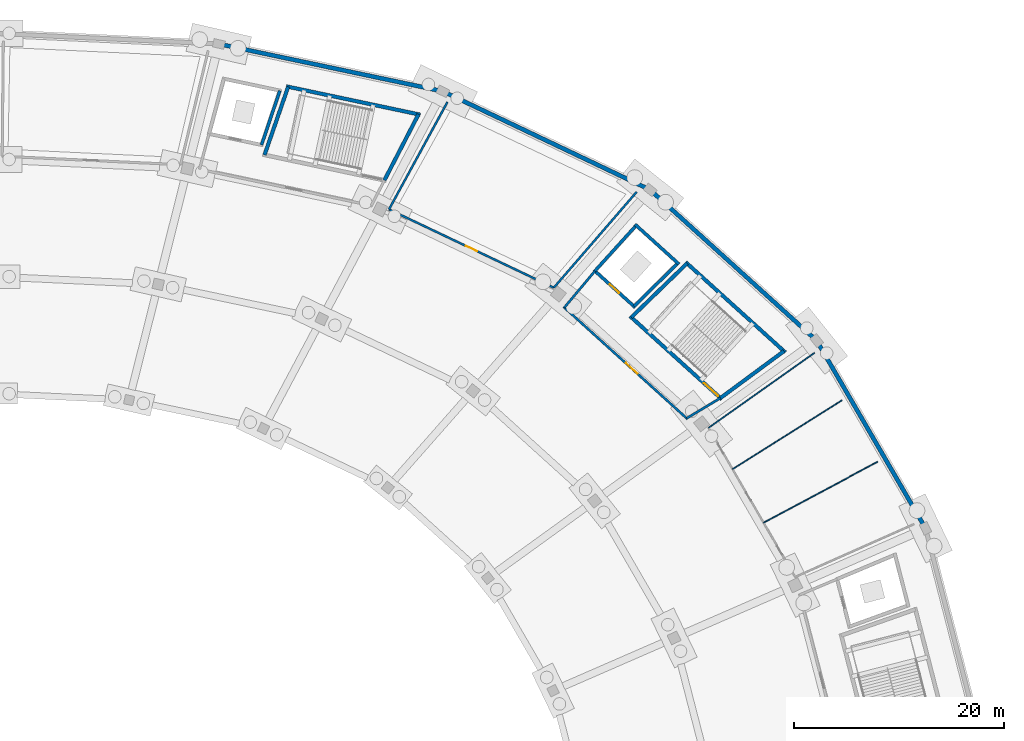
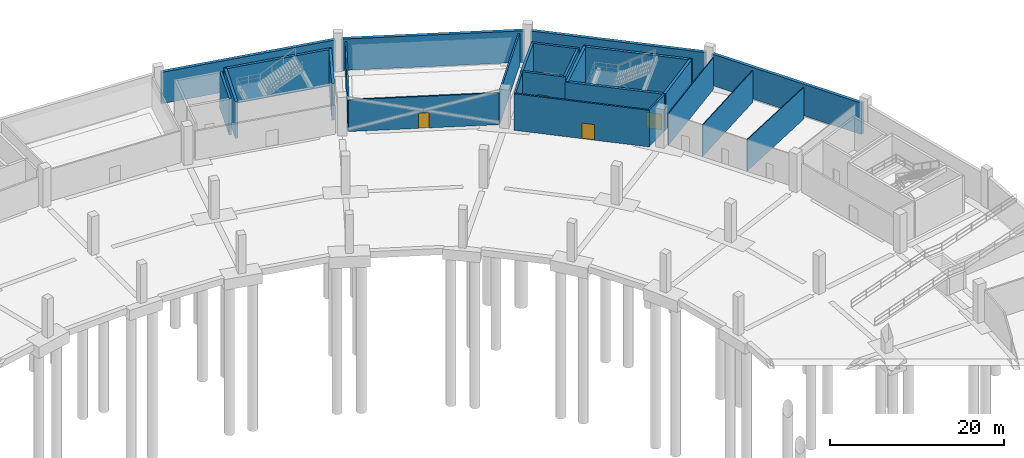
# One storey, part 18 of 49: 25 walls, 4 doors, 4 openings.
"""IFC4 building model written with IfcOpenShell, lengths in metres."""

from ifc_helpers import new_model, si_unit, direction, frame, frame_2d, origin, place, context, subcontext, project, spatial, rectangle, extrude, material, layer, layer_set, type_object, element, fill, save


model = new_model("IFC4")

# Units and contexts
model_context = context("Model", 3, precision=1e-05, world=origin(), true_north=direction((0.0, 1.0)))
body_context = subcontext(model_context, "Body", "Model", "MODEL_VIEW")
ifc_project = project(units=[si_unit("LENGTHUNIT", "METRE"), si_unit("AREAUNIT", "SQUARE_METRE"), si_unit("VOLUMEUNIT", "CUBIC_METRE"), si_unit("PLANEANGLEUNIT", "RADIAN"), si_unit("MASSUNIT", "GRAM", prefix="KILO")], contexts=[model_context])

# Site, building, storey
site_placement = place(None, origin())
site = spatial("IfcSite", under=ifc_project, at=site_placement, CompositionType="ELEMENT")
building_placement = place(site_placement, origin())
building = spatial("IfcBuilding", under=site, at=building_placement, Name="Kazemori Nagisa Stadium", CompositionType="ELEMENT")
storey_placement = place(building_placement, frame((0.0, 0.0, -5.43994140625)))
storey = spatial("IfcBuildingStorey", under=building, at=storey_placement, Name="B1", CompositionType="ELEMENT", Elevation=-5.43994140625)

# Walls
ifc_material_1 = material(Name="Concrete C40/50 (Fc42)", Category="concrete")
ifc_layer_1 = layer(ifc_material_1, 0.39990234375, Name="Concrete C40/50 (Fc42)", Category="concrete")
ifc_layer_set_1 = layer_set([ifc_layer_1], Name="Concrete C40/50 (Fc42)")
wall_type_1 = type_object("IfcWallType", Name="Wall_W-B1-RET-400", PredefinedType="SOLIDWALL", material=ifc_layer_set_1)
wall_1_placement = place(storey_placement, frame((211.689208984375, 141.0869140625, 0.0), z_axis=(0.0, 0.0, 1.0), x_axis=(-0.501609752715, 0.865094015689, 0.0)))
element("IfcWall", 1, at=wall_1_placement, inside=storey, type_object=wall_type_1, Name="Basement perimeter retaining wall B1-03", PredefinedType="SOLIDWALL", context=body_context, shape_type="SweptSolid", body=[
    extrude(rectangle(XDim=19.932373046875, YDim=0.39990234375, at=frame_2d((9.96630859375, 0.0))), origin(), (0.0, 0.0, 1.0), 4.419921875),
])
wall_2_placement = place(storey_placement, frame((201.206298828125, 158.929443359375, 0.0), z_axis=(0.0, 0.0, 1.0), x_axis=(-0.741354093053, 0.671114080253, 0.0)))
element("IfcWall", 2, at=wall_2_placement, inside=storey, type_object=wall_type_1, Name="Basement perimeter retaining wall B1-04", PredefinedType="SOLIDWALL", context=body_context, shape_type="SweptSolid", body=[
    extrude(rectangle(XDim=20.66357421875, YDim=0.39990234375, at=frame_2d((10.331787109375, 0.0))), origin(), (0.0, 0.0, 1.0), 4.419921875),
])
wall_3_placement = place(storey_placement, frame((185.24560546875, 173.226318359375, 0.0), z_axis=(0.0, 0.0, 1.0), x_axis=(-0.903214032263, 0.429190414528, 0.0)))
element("IfcWall", 3, at=wall_3_placement, inside=storey, type_object=wall_type_1, Name="Basement perimeter retaining wall B1-05", PredefinedType="SOLIDWALL", context=body_context, shape_type="SweptSolid", body=[
    extrude(rectangle(XDim=21.134033203125, YDim=0.39990234375, at=frame_2d((10.56689453125, 0.0))), origin(), (0.0, 0.0, 1.0), 4.419921875),
])
wall_4_placement = place(storey_placement, frame((165.423095703125, 182.544921875, 0.0), z_axis=(0.0, 0.0, 1.0), x_axis=(-0.978345100851, 0.206980346028, 0.0)))
element("IfcWall", 4, at=wall_4_placement, inside=storey, type_object=wall_type_1, Name="Basement perimeter retaining wall B1-06", PredefinedType="SOLIDWALL", context=body_context, shape_type="SweptSolid", body=[
    extrude(rectangle(XDim=21.070068359375, YDim=0.39990234375, at=frame_2d((10.53515625, 0.0))), origin(), (0.0, 0.0, 1.0), 4.419921875),
])

# Wall, opening, door
ifc_layer_2 = layer(ifc_material_1, 0.35009765625, Name="Concrete C40/50 (Fc42)", Category="concrete")
ifc_layer_set_2 = layer_set([ifc_layer_2], Name="Concrete C40/50 (Fc42)")
wall_type_2 = type_object("IfcWallType", Name="Wall_W-CORE-350", PredefinedType="SHEAR", material=ifc_layer_set_2)
wall_5_placement = place(storey_placement, frame((192.438720703125, 153.072021484375, 0.0), z_axis=(0.0, 0.0, 1.0), x_axis=(-0.741358227035, 0.671109513572, 0.0)))
wall_5 = element("IfcWall", 5, at=wall_5_placement, inside=storey, type_object=wall_type_2, Name="Core stair front shear wall ST01 B1", PredefinedType="SHEAR", context=body_context, shape_type="SweptSolid", body=[
    extrude(rectangle(XDim=11.82666015625, YDim=0.35009765625, at=frame_2d((5.913330078125, 0.0))), origin(), (0.0, 0.0, 1.0), 5.139892578125),
])
opening_1_placement = place(wall_5_placement, frame((0.47509765625, 0.0, 0.0)))
opening_1 = element("IfcOpeningElement", 6, at=opening_1_placement, cuts=wall_5, Name="Opening D-ST-1800", PredefinedType="OPENING", context=body_context, shape_type="SweptSolid", body=[
    extrude(rectangle(XDim=1.800048828125, YDim=2.199951171875, at=frame_2d((0.89990234375, 1.10009765625))), frame((0.0, 0.18505859375, 0.0), z_axis=(0.0, -1.0, 0.0), x_axis=(1.0, 0.0, 0.0)), (0.0, 0.0, 1.0), 0.3701171875),
])
ifc_material_2 = material(Name="Galvanised steel sheet", Category="steel")
door_type_1 = type_object("IfcDoorType", Name="Door_D-ST-1800", OperationType="NOTDEFINED", PredefinedType="DOOR", material=ifc_material_2)
door_1_placement = place(opening_1_placement, frame((1.800048828125, 0.0, 0.0), z_axis=(0.0, 0.0, 1.0), x_axis=(-1.0, 0.0, 0.0)))
door_1 = element("IfcDoor", 7, at=door_1_placement, inside=storey, type_object=door_type_1, Name="Exit stair fire door ST01-B1", OperationType="SINGLE_SWING_LEFT", OverallHeight=2.199951171875, OverallWidth=1.800048828125, PredefinedType="DOOR", context=body_context, shape_type="SweptSolid", body=[
    extrude(rectangle(XDim=1.800048828125, YDim=2.199951171875, at=frame_2d((0.89990234375, 1.10009765625))), frame((0.0, 0.02490234375, 0.0), z_axis=(0.0, -1.0, 0.0), x_axis=(1.0, 0.0, 0.0)), (0.0, 0.0, 1.0), 0.050048828125),
])
fill(opening_1, door_1)

# Walls
wall_6_placement = place(storey_placement, frame((198.499267578125, 157.548095703125, 0.0), z_axis=(0.0, 0.0, 1.0), x_axis=(-0.741351373721, 0.671117084183, 0.0)))
element("IfcWall", 8, at=wall_6_placement, inside=storey, type_object=wall_type_2, Name="Core stair rear shear wall ST01 B1", PredefinedType="SHEAR", context=body_context, shape_type="SweptSolid", body=[
    extrude(rectangle(XDim=12.830322265625, YDim=0.35009765625, at=frame_2d((6.4150390625, 0.0))), origin(), (0.0, 0.0, 1.0), 5.139892578125),
])
wall_7_placement = place(storey_placement, frame((192.308837890625, 153.189453125, 0.0), z_axis=(0.0, 0.0, 1.0), x_axis=(0.804395625347, 0.594093997548, 0.0)))
element("IfcWall", 9, at=wall_7_placement, inside=storey, type_object=wall_type_2, Name="Core stair left shear wall ST01 B1", PredefinedType="SHEAR", context=body_context, shape_type="SweptSolid", body=[
    extrude(rectangle(XDim=7.5341796875, YDim=0.35009765625, at=frame_2d((3.76708984375, 0.0))), origin(), (0.0, 0.0, 1.0), 5.139892578125),
])
wall_8_placement = place(storey_placement, frame((183.800537109375, 160.8916015625, 0.0), z_axis=(0.0, 0.0, 1.0), x_axis=(0.718297398554, 0.69573619083, 0.0)))
element("IfcWall", 10, at=wall_8_placement, inside=storey, type_object=wall_type_2, Name="Core stair right shear wall ST01 B1", PredefinedType="SHEAR", context=body_context, shape_type="SweptSolid", body=[
    extrude(rectangle(XDim=7.40185546875, YDim=0.35009765625, at=frame_2d((3.700927734375, 0.0))), origin(), (0.0, 0.0, 1.0), 5.139892578125),
])
wall_9_placement = place(storey_placement, frame((163.655029296875, 180.2333984375, 0.0), z_axis=(0.0, 0.0, 1.0), x_axis=(-0.978345119536, 0.206980257705, 0.0)))
element("IfcWall", 11, at=wall_9_placement, inside=storey, type_object=wall_type_2, Name="Core stair rear shear wall ST11 B1", PredefinedType="SHEAR", context=body_context, shape_type="SweptSolid", body=[
    extrude(rectangle(XDim=13.06689453125, YDim=0.35009765625, at=frame_2d((6.533447265625, 0.0))), origin(), (0.0, 0.0, 1.0), 5.139892578125),
])
wall_10_placement = place(storey_placement, frame((160.228515625, 173.975830078125, 0.0), z_axis=(0.0, 0.0, 1.0), x_axis=(0.459409796564, 0.888224430435, 0.0)))
element("IfcWall", 12, at=wall_10_placement, inside=storey, type_object=wall_type_2, Name="Core stair left shear wall ST11 B1", PredefinedType="SHEAR", context=body_context, shape_type="SweptSolid", body=[
    extrude(rectangle(XDim=7.0859375, YDim=0.35009765625, at=frame_2d((3.54296875, 0.0))), origin(), (0.0, 0.0, 1.0), 5.139892578125),
])
wall_11_placement = place(storey_placement, frame((148.787353515625, 176.396240234375, 0.0), z_axis=(0.0, 0.0, 1.0), x_axis=(0.327491724385, 0.944854047173, 0.0)))
element("IfcWall", 13, at=wall_11_placement, inside=storey, type_object=wall_type_2, Name="Core stair right shear wall ST11 B1", PredefinedType="SHEAR", context=body_context, shape_type="SweptSolid", body=[
    extrude(rectangle(XDim=6.88525390625, YDim=0.35009765625, at=frame_2d((3.442626953125, 0.0))), origin(), (0.0, 0.0, 1.0), 5.139892578125),
])

# Wall, opening, door
ifc_material_3 = material(Name="Concrete C36/45 (Fc36)", Category="concrete")
ifc_layer_3 = layer(ifc_material_3, 0.219970703125, Name="Concrete C36/45 (Fc36)", Category="concrete")
ifc_layer_set_3 = layer_set([ifc_layer_3], Name="Concrete C36/45 (Fc36)")
wall_type_3 = type_object("IfcWallType", Name="Wall_W-LOBBY-220", PredefinedType="SOLIDWALL", material=ifc_layer_set_3)
wall_12_placement = place(storey_placement, frame((189.166259765625, 151.1806640625, 0.0), z_axis=(0.0, 0.0, 1.0), x_axis=(-0.741351035574, 0.671117457717, 0.0)))
wall_12 = element("IfcWall", 14, at=wall_12_placement, inside=storey, type_object=wall_type_3, Name="Core lobby fire wall ST01 B1", PredefinedType="SOLIDWALL", context=body_context, shape_type="SweptSolid", body=[
    extrude(rectangle(XDim=15.96923828125, YDim=0.219970703125, at=frame_2d((7.984619140625, 0.0))), origin(), (0.0, 0.0, 1.0), 5.139892578125),
])
opening_2_placement = place(wall_12_placement, frame((6.447021484375, 0.0, 0.0)))
opening_2 = element("IfcOpeningElement", 15, at=opening_2_placement, cuts=wall_12, Name="Opening D-FFL-1500", PredefinedType="OPENING", context=body_context, shape_type="SweptSolid", body=[
    extrude(rectangle(XDim=1.5, YDim=2.199951171875, at=frame_2d((0.75, 1.10009765625))), frame((0.0, 0.119873046875, 0.0), z_axis=(0.0, -1.0, 0.0), x_axis=(1.0, 0.0, 0.0)), (0.0, 0.0, 1.0), 0.239990234375),
])
door_type_2 = type_object("IfcDoorType", Name="Door_D-FFL-1500", OperationType="NOTDEFINED", PredefinedType="DOOR", material=ifc_material_2)
door_2_placement = place(opening_2_placement, frame((1.5, 0.0, 0.0), z_axis=(0.0, 0.0, 1.0), x_axis=(-1.0, 0.0, 0.0)))
door_2 = element("IfcDoor", 16, at=door_2_placement, inside=storey, type_object=door_type_2, Name="Protected lobby fire door ST01-B1", OperationType="DOUBLE_DOOR_SINGLE_SWING", OverallHeight=2.199951171875, OverallWidth=1.5, PredefinedType="DOOR", context=body_context, shape_type="SweptSolid", body=[
    extrude(rectangle(XDim=1.5, YDim=2.199951171875, at=frame_2d((0.75, 1.10009765625))), frame((0.0, 0.02490234375, 0.0), z_axis=(0.0, -1.0, 0.0), x_axis=(1.0, 0.0, 0.0)), (0.0, 0.0, 1.0), 0.050048828125),
])
fill(opening_2, door_2)

# Walls
wall_13_placement = place(storey_placement, frame((189.084716796875, 151.25439453125, 0.0), z_axis=(0.0, 0.0, 1.0), x_axis=(0.857424171966, 0.514610327654, 0.0)))
element("IfcWall", 17, at=wall_13_placement, inside=storey, type_object=wall_type_3, Name="Core lobby left wall ST01 B1", PredefinedType="SOLIDWALL", context=body_context, shape_type="SweptSolid", body=[
    extrude(rectangle(XDim=3.76025390625, YDim=0.219970703125, at=frame_2d((1.880126953125, 0.0))), origin(), (0.0, 0.0, 1.0), 5.139892578125),
])
wall_14_placement = place(storey_placement, frame((177.408935546875, 161.823974609375, 0.0), z_axis=(0.0, 0.0, 1.0), x_axis=(0.640759627034, 0.767741558315, 0.0)))
element("IfcWall", 18, at=wall_14_placement, inside=storey, type_object=wall_type_3, Name="Core lobby right wall ST01 B1", PredefinedType="SOLIDWALL", context=body_context, shape_type="SweptSolid", body=[
    extrude(rectangle(XDim=4.549072265625, YDim=0.219970703125, at=frame_2d((2.2744140625, 0.0))), origin(), (0.0, 0.0, 1.0), 5.139892578125),
])
ifc_material_4 = material(Name="High-pressure phenolic compact laminate", Category="gypsum")
ifc_layer_4 = layer(ifc_material_4, 0.10009765625, Name="High-pressure phenolic compact laminate", Category="gypsum")
ifc_layer_set_4 = layer_set([ifc_layer_4], Name="High-pressure phenolic compact laminate")
wall_type_4 = type_object("IfcWallType", Name="Wall_W-PART-100", PredefinedType="PARTITIONING", material=ifc_layer_set_4)
wall_15_placement = place(storey_placement, frame((196.431396484375, 141.283203125, 0.0), z_axis=(0.0, 0.0, 1.0), x_axis=(0.881750763072, 0.471715583611, 0.0)))
element("IfcWall", 19, at=wall_15_placement, inside=storey, type_object=wall_type_4, Name="Sanitary divider partition B1-B03-1", PredefinedType="PARTITIONING", context=body_context, shape_type="SweptSolid", body=[
    extrude(rectangle(XDim=12.337646484375, YDim=0.10009765625, at=frame_2d((6.1689453125, 0.0))), origin(), (0.0, 0.0, 1.0), 4.4599609375),
])
wall_16_placement = place(storey_placement, frame((193.466552734375, 146.396240234375, 0.0), z_axis=(0.0, 0.0, 1.0), x_axis=(0.846077507777, 0.533059894227, 0.0)))
element("IfcWall", 20, at=wall_16_placement, inside=storey, type_object=wall_type_4, Name="Sanitary divider partition B1-B03-2", PredefinedType="PARTITIONING", context=body_context, shape_type="SweptSolid", body=[
    extrude(rectangle(XDim=12.3388671875, YDim=0.10009765625, at=frame_2d((6.16943359375, 0.0))), origin(), (0.0, 0.0, 1.0), 4.4599609375),
])
ifc_material_5 = material(Name="Moisture-resistant gypsum board", Category="gypsum")
ifc_layer_5 = layer(ifc_material_5, 0.114990234375, Name="Moisture-resistant gypsum board", Category="gypsum")
ifc_layer_set_5 = layer_set([ifc_layer_5], Name="Moisture-resistant gypsum board")
wall_type_5 = type_object("IfcWallType", Name="Wall_W-PART-115", PredefinedType="PARTITIONING", material=ifc_layer_set_5)
wall_17_placement = place(storey_placement, frame((191.178955078125, 150.341552734375, 0.0), z_axis=(0.0, 0.0, 1.0), x_axis=(0.815753527099, 0.578399674122, 0.0)))
element("IfcWall", 21, at=wall_17_placement, inside=storey, type_object=wall_type_5, Name="Sanitary block R partition B1-B03", PredefinedType="PARTITIONING", context=body_context, shape_type="SweptSolid", body=[
    extrude(rectangle(XDim=12.38232421875, YDim=0.114990234375, at=frame_2d((6.191162109375, 0.0))), origin(), (0.0, 0.0, 1.0), 4.4599609375),
])

# Wall, opening, door
ifc_material_6 = material(Name="Autoclaved aerated concrete blockwork", Category="masonry")
ifc_layer_6 = layer(ifc_material_6, 0.199951171875, Name="Autoclaved aerated concrete blockwork", Category="masonry")
ifc_layer_set_6 = layer_set([ifc_layer_6], Name="Autoclaved aerated concrete blockwork")
wall_type_6 = type_object("IfcWallType", Name="Wall_W-PART-200", PredefinedType="PARTITIONING", material=ifc_layer_set_6)
wall_18_placement = place(storey_placement, frame((176.400634765625, 163.719970703125, 0.0), z_axis=(0.0, 0.0, 1.0), x_axis=(-0.903217202186, 0.429183743488, 0.0)))
wall_18 = element("IfcWall", 22, at=wall_18_placement, inside=storey, type_object=wall_type_6, Name="Room corridor partition B1-B05", PredefinedType="PARTITIONING", context=body_context, shape_type="SweptSolid", body=[
    extrude(rectangle(XDim=17.419189453125, YDim=0.199951171875, at=frame_2d((8.70947265625, 0.0))), origin(), (0.0, 0.0, 1.0), 4.4599609375),
])
opening_3_placement = place(wall_18_placement, frame((8.110107421875, 0.0, 0.0)))
opening_3 = element("IfcOpeningElement", 23, at=opening_3_placement, cuts=wall_18, Name="Opening D-PL-1200", PredefinedType="OPENING", context=body_context, shape_type="SweptSolid", body=[
    extrude(rectangle(XDim=1.199951171875, YDim=2.14990234375, at=frame_2d((0.60009765625, 1.074951171875))), frame((0.0, 0.10986328125, 0.0), z_axis=(0.0, -1.0, 0.0), x_axis=(1.0, 0.0, 0.0)), (0.0, 0.0, 1.0), 0.219970703125),
])
door_type_3 = type_object("IfcDoorType", Name="Door_D-PL-1200", OperationType="NOTDEFINED", PredefinedType="DOOR", material=ifc_material_2)
door_3_placement = place(opening_3_placement, origin())
door_3 = element("IfcDoor", 24, at=door_3_placement, inside=storey, type_object=door_type_3, Name="Room entrance door D-PL-1200 B1-B05", OperationType="SINGLE_SWING_LEFT", OverallHeight=2.14990234375, OverallWidth=1.199951171875, PredefinedType="DOOR", context=body_context, shape_type="SweptSolid", body=[
    extrude(rectangle(XDim=1.199951171875, YDim=2.14990234375, at=frame_2d((0.60009765625, 1.074951171875))), frame((0.0, 0.02490234375, 0.0), z_axis=(0.0, -1.0, 0.0), x_axis=(1.0, 0.0, 0.0)), (0.0, 0.0, 1.0), 0.050048828125),
])
fill(opening_3, door_3)

# Walls
wall_19_placement = place(storey_placement, frame((176.400634765625, 163.719970703125, 0.0), z_axis=(0.0, 0.0, 1.0), x_axis=(0.654293035882, 0.756241114458, 0.0)))
element("IfcWall", 25, at=wall_19_placement, inside=storey, type_object=wall_type_6, Name="Room radial partition B1-B05-L", PredefinedType="PARTITIONING", context=body_context, shape_type="SweptSolid", body=[
    extrude(rectangle(XDim=12.091064453125, YDim=0.199951171875, at=frame_2d((6.04541015625, 0.0))), origin(), (0.0, 0.0, 1.0), 4.4599609375),
])
wall_20_placement = place(storey_placement, frame((160.667236328125, 171.196044921875, 0.0), z_axis=(0.0, 0.0, 1.0), x_axis=(0.478125060974, 0.878291765912, 0.0)))
element("IfcWall", 26, at=wall_20_placement, inside=storey, type_object=wall_type_6, Name="Room radial partition B1-B05-R", PredefinedType="PARTITIONING", context=body_context, shape_type="SweptSolid", body=[
    extrude(rectangle(XDim=11.671875, YDim=0.199951171875, at=frame_2d((5.8359375, 0.0))), origin(), (0.0, 0.0, 1.0), 4.4599609375),
])

# Wall, opening, door
ifc_layer_7 = layer(ifc_material_1, 0.300048828125, Name="Concrete C40/50 (Fc42)", Category="concrete")
ifc_layer_set_7 = layer_set([ifc_layer_7], Name="Concrete C40/50 (Fc42)")
wall_type_7 = type_object("IfcWallType", Name="Wall_W-SHAFT-300", PredefinedType="SHEAR", material=ifc_layer_set_7)
wall_21_placement = place(storey_placement, frame((184.1630859375, 161.840576171875, 0.0), z_axis=(0.0, 0.0, 1.0), x_axis=(-0.741350155641, 0.671118429736, 0.0)))
wall_21 = element("IfcWall", 27, at=wall_21_placement, inside=storey, type_object=wall_type_7, Name="Lift shaft front wall FL1 B1", PredefinedType="SHEAR", context=body_context, shape_type="SweptSolid", body=[
    extrude(rectangle(XDim=5.3291015625, YDim=0.300048828125, at=frame_2d((2.66455078125, 0.0))), origin(), (0.0, 0.0, 1.0), 5.139892578125),
])
opening_4_placement = place(wall_21_placement, frame((2.06494140625, 0.0, 0.0)))
opening_4 = element("IfcOpeningElement", 28, at=opening_4_placement, cuts=wall_21, Name="Opening LD-FF", PredefinedType="OPENING", context=body_context, shape_type="SweptSolid", body=[
    extrude(rectangle(XDim=1.199951171875, YDim=2.199951171875, at=frame_2d((0.60009765625, 1.10009765625))), frame((0.0, 0.159912109375, 0.0), z_axis=(0.0, -1.0, 0.0), x_axis=(1.0, 0.0, 0.0)), (0.0, 0.0, 1.0), 0.320068359375),
])
ifc_material_7 = material(Name="Stainless steel SUS304", Category="steel")
door_type_4 = type_object("IfcDoorType", Name="Door_LD-FF", OperationType="SLIDING_TO_LEFT", PredefinedType="DOOR", material=ifc_material_7)
door_4_placement = place(opening_4_placement, origin())
door_4 = element("IfcDoor", 29, at=door_4_placement, inside=storey, type_object=door_type_4, Name="Lift landing door FL1-B1", OperationType="SLIDING_TO_LEFT", OverallHeight=2.199951171875, OverallWidth=1.199951171875, PredefinedType="DOOR", context=body_context, shape_type="SweptSolid", body=[
    extrude(rectangle(XDim=1.199951171875, YDim=2.199951171875, at=frame_2d((0.60009765625, 1.10009765625))), frame((0.0, 0.02490234375, 0.0), z_axis=(0.0, -1.0, 0.0), x_axis=(1.0, 0.0, 0.0)), (0.0, 0.0, 1.0), 0.050048828125),
])
fill(opening_4, door_4)

# Walls
wall_22_placement = place(storey_placement, frame((188.359619140625, 165.960693359375, 0.0), z_axis=(0.0, 0.0, 1.0), x_axis=(-0.74134208775, 0.671127341815, 0.0)))
element("IfcWall", 30, at=wall_22_placement, inside=storey, type_object=wall_type_7, Name="Lift shaft B wall FL1 B1", PredefinedType="SHEAR", context=body_context, shape_type="SweptSolid", body=[
    extrude(rectangle(XDim=5.674560546875, YDim=0.300048828125, at=frame_2d((2.83740234375, 0.0))), origin(), (0.0, 0.0, 1.0), 5.139892578125),
])
wall_23_placement = place(storey_placement, frame((184.052001953125, 161.941162109375, 0.0), z_axis=(0.0, 0.0, 1.0), x_axis=(0.713553028001, 0.700601224828, 0.0)))
element("IfcWall", 31, at=wall_23_placement, inside=storey, type_object=wall_type_7, Name="Lift shaft L wall FL1 B1", PredefinedType="SHEAR", context=body_context, shape_type="SweptSolid", body=[
    extrude(rectangle(XDim=5.881103515625, YDim=0.300048828125, at=frame_2d((2.9404296875, 0.0))), origin(), (0.0, 0.0, 1.0), 5.139892578125),
])
wall_24_placement = place(storey_placement, frame((180.32373046875, 165.31640625, 0.0), z_axis=(0.0, 0.0, 1.0), x_axis=(0.67115829282, 0.741314067031, 0.0)))
element("IfcWall", 32, at=wall_24_placement, inside=storey, type_object=wall_type_7, Name="Lift shaft R wall FL1 B1", PredefinedType="SHEAR", context=body_context, shape_type="SweptSolid", body=[
    extrude(rectangle(XDim=5.87060546875, YDim=0.300048828125, at=frame_2d((2.935302734375, 0.0))), origin(), (0.0, 0.0, 1.0), 5.139892578125),
])
wall_25_placement = place(storey_placement, frame((148.498046875, 177.352783203125, 0.0), z_axis=(0.0, 0.0, 1.0), x_axis=(0.320537624185, 0.947235784523, 0.0)))
element("IfcWall", 33, at=wall_25_placement, inside=storey, type_object=wall_type_7, Name="Lift shaft L wall LP3 B1", PredefinedType="SHEAR", context=body_context, shape_type="SweptSolid", body=[
    extrude(rectangle(XDim=5.468017578125, YDim=0.300048828125, at=frame_2d((2.73388671875, 0.0))), origin(), (0.0, 0.0, 1.0), 5.139892578125),
])

save(model, "model.ifc")
